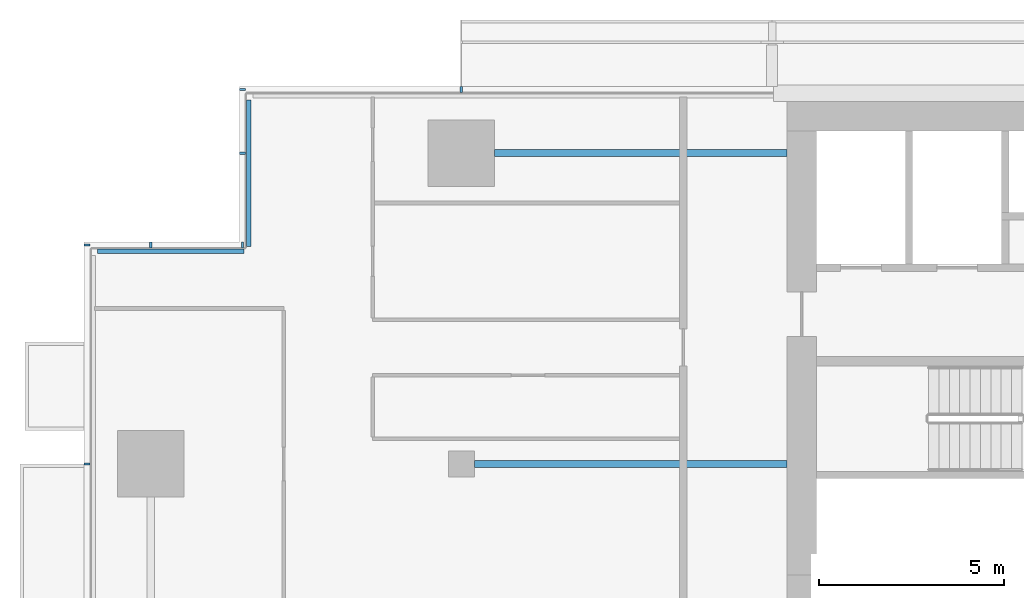
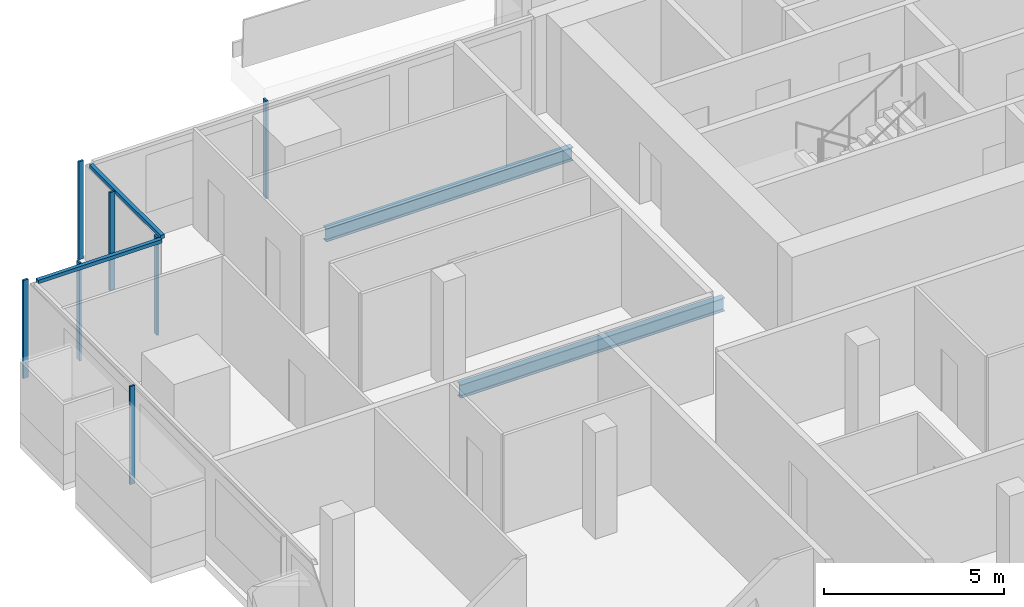
# One storey, part 8 of 28: 9 members, 2 beams, 4 elements without a shape of their own.
"""IFC4 building model written with IfcOpenShell, lengths in metres."""

import ifcopenshell
import ifcopenshell.guid

model = None  # the IFC model being written
_history = None  # IfcOwnerHistory: only IFC2X3 demands one
_inside = {}  # id of a spatial element -> (the spatial element, [elements in it])
_under = {}  # id of a project, library or spatial element -> (it, [spatial elements below it])
_declared = {}  # id of a project -> (the project, [libraries it declares])
_typed = {}  # id of a type object -> (the type object, [elements of that type])
_made_of = {}  # id of a material, layer set ... -> (it, [elements and type objects made of it])


def new_model(schema):
    """Start an empty IFC model of exactly this schema.

    Asked for "IFC4X3", IfcOpenShell would pick the latest addendum, in which some entities
    have other attributes; the version numbers below select the first issue.
    IFC2X3 requires an IfcOwnerHistory on every rooted entity: one is made here for all.
    """
    global model, _history
    if schema == "IFC4X3":
        model = ifcopenshell.file(schema_version=(4, 3, 0, 0))
    else:
        model = ifcopenshell.file(schema=schema)
    _inside.clear()
    _under.clear()
    _declared.clear()
    _typed.clear()
    _made_of.clear()
    _history = None
    if model.schema == "IFC2X3":
        org = make("IfcOrganization", Name="unknown")
        user = make(
            "IfcPersonAndOrganization",
            ThePerson=make("IfcPerson", FamilyName="unknown"),
            TheOrganization=org,
        )
        app = make(
            "IfcApplication",
            ApplicationDeveloper=org,
            Version="unknown",
            ApplicationFullName="unknown",
            ApplicationIdentifier="unknown",
        )
        _history = make(
            "IfcOwnerHistory",
            OwningUser=user,
            OwningApplication=app,
            ChangeAction="ADDED",
            CreationDate=0,
        )
    return model


def make(cls, **values):
    """One entity of the class cls with the attributes given. An attribute that is None is left unset."""
    return model.create_entity(
        cls, **{name: value for name, value in values.items() if value is not None}
    )


def rooted(cls, **values):
    """An entity with a GlobalId (a new one), such as an element, a storey or a relation."""
    return make(cls, GlobalId=ifcopenshell.guid.new(), OwnerHistory=_history, **values)


def si_unit(unit_type, name, prefix=None):
    """IfcSIUnit, for example si_unit("LENGTHUNIT", "METRE", prefix="MILLI")."""
    return make("IfcSIUnit", UnitType=unit_type, Prefix=prefix, Name=name)


def assignment(units):
    """IfcUnitAssignment: the units of a project."""
    return None if units is None else make("IfcUnitAssignment", Units=units)


def point(xyz):
    """IfcCartesianPoint."""
    return None if xyz is None else make("IfcCartesianPoint", Coordinates=xyz)


def direction(xyz):
    """IfcDirection."""
    return None if xyz is None else make("IfcDirection", DirectionRatios=xyz)


def frame(location, z_axis=None, x_axis=None):
    """IfcAxis2Placement3D, a coordinate frame: its origin and axes. An axis left out is left unset."""
    return make(
        "IfcAxis2Placement3D",
        Location=point(location),
        Axis=direction(z_axis),
        RefDirection=direction(x_axis),
    )


def frame_2d(location, x_axis=None):
    """IfcAxis2Placement2D, a coordinate frame in the plane: its origin and x axis."""
    return make(
        "IfcAxis2Placement2D", Location=point(location), RefDirection=direction(x_axis)
    )


def origin():
    """The frame at (0, 0, 0) with its axes left unset."""
    return frame((0.0, 0.0, 0.0))


def origin_2d():
    """The frame at (0, 0) in the plane with its x axis left unset."""
    return frame_2d((0.0, 0.0))


def place(relative_to, where):
    """IfcLocalPlacement: puts the frame where relative to a parent placement (None: the world)."""
    return make(
        "IfcLocalPlacement", PlacementRelTo=relative_to, RelativePlacement=where
    )


def context(
    kind, dimensions, precision=None, world=None, true_north=None, identifier=None
):
    """IfcGeometricRepresentationContext, for example the 3D "Model" context."""
    return make(
        "IfcGeometricRepresentationContext",
        ContextIdentifier=identifier,
        ContextType=kind,
        CoordinateSpaceDimension=dimensions,
        Precision=precision,
        WorldCoordinateSystem=world,
        TrueNorth=true_north,
    )


def subcontext(parent, identifier, kind, view, scale=None):
    """IfcGeometricRepresentationSubContext, for example "Body" below "Model"."""
    return make(
        "IfcGeometricRepresentationSubContext",
        ContextIdentifier=identifier,
        ContextType=kind,
        ParentContext=parent,
        TargetScale=scale,
        TargetView=view,
    )


def project(units=None, contexts=None):
    """IfcProject with its units and contexts."""
    return rooted(
        "IfcProject",
        Name="project",
        RepresentationContexts=contexts,
        UnitsInContext=assignment(units),
    )


def spatial(cls, under=None, at=None, **own):
    """A site, building, storey or space (cls), placed at a placement, below another one or the project."""
    s = rooted(cls, ObjectPlacement=at, **own)
    if under is not None:
        _under.setdefault(under.id(), (under, []))[1].append(s)
    return s


def profile(cls, at=None, kind="AREA", **sizes):
    """A parametric profile (cls). Its sizes go by their IFC names, for example OverallWidth=200.0."""
    return make(cls, ProfileType=kind, Position=at, **sizes)


def rectangle(**sizes):
    """IfcRectangleProfileDef."""
    return profile("IfcRectangleProfileDef", **sizes)


def i_section(**sizes):
    """IfcIShapeProfileDef."""
    return profile("IfcIShapeProfileDef", **sizes)


def extrude(swept, where, along, depth):
    """IfcExtrudedAreaSolid: the profile swept, set in the frame where, extruded along a direction by depth."""
    return make(
        "IfcExtrudedAreaSolid",
        SweptArea=swept,
        Position=where,
        ExtrudedDirection=direction(along),
        Depth=depth,
    )


def shape(context_of_items, identifier, shape_type, items):
    """IfcShapeRepresentation: the items that make up one representation, for example the "Body"."""
    return make(
        "IfcShapeRepresentation",
        ContextOfItems=context_of_items,
        RepresentationIdentifier=identifier,
        RepresentationType=shape_type,
        Items=items,
    )


def material(Name=None, Category=None):
    """IfcMaterial."""
    return make("IfcMaterial", Name=Name, Category=Category)


def material_profile(
    of_material, cross_section, Name=None, Category=None, Priority=None
):
    """IfcMaterialProfile: a cross section and its material."""
    return make(
        "IfcMaterialProfile",
        Name=Name,
        Material=of_material,
        Profile=cross_section,
        Priority=Priority,
        Category=Category,
    )


def profile_set(profiles, Name=None, composite=None):
    """IfcMaterialProfileSet."""
    return make(
        "IfcMaterialProfileSet",
        Name=Name,
        MaterialProfiles=profiles,
        CompositeProfile=composite,
    )


def made_of(thing, what):
    """Note that an element or type object is made of a material, layer set ...; save() writes the relation."""
    if what is not None:
        _made_of.setdefault(what.id(), (what, []))[1].append(thing)
    return thing


def type_object(cls, material=None, **own):
    """A type object (cls), such as IfcWallType, which elements share."""
    return made_of(rooted(cls, **own), material)


def element(
    cls,
    number,
    at=None,
    inside=None,
    cuts=None,
    type_object=None,
    material=None,
    context=None,
    identifier="Body",
    shape_type=None,
    held_by="IfcProductDefinitionShape",
    body=None,
    shapes=None,
    **own,
):
    """One element of the class cls, such as IfcWall. Its Tag is "e" and its number.

    at: its placement. inside: the storey or other place that contains it. cuts: it is an
    opening in that element (IfcRelVoidsElement). A single representation is given by context,
    identifier, shape_type and body (its items); several are given by shapes. held_by: the class
    of the entity that holds the representations. save() writes the other relations.
    """
    e = rooted(cls, Tag="e%d" % number, ObjectPlacement=at, **own)
    if body is not None:
        shapes = [shape(context, identifier, shape_type, body)]
    if shapes is not None:
        e.Representation = make(held_by, Representations=shapes)
    if inside is not None:
        _inside.setdefault(inside.id(), (inside, []))[1].append(e)
    if cuts is not None:
        rooted(
            "IfcRelVoidsElement", RelatingBuildingElement=cuts, RelatedOpeningElement=e
        )
    if type_object is not None:
        _typed.setdefault(type_object.id(), (type_object, []))[1].append(e)
    return made_of(e, material)


def aggregate(whole, parts):
    """IfcRelAggregates: a whole, such as a stair, and the parts it consists of."""
    return rooted("IfcRelAggregates", RelatingObject=whole, RelatedObjects=parts)


def save(model, path):
    """Write the relations noted so far, then the file.

    IfcRelAggregates (storeys below a building ...), IfcRelContainedInSpatialStructure (elements
    in a storey), IfcRelDefinesByType, IfcRelAssociatesMaterial and IfcRelDeclares: one each for
    every whole, place, type object, material and project.
    """
    for whole, parts in _under.values():
        aggregate(whole, parts)
    for where, things in _inside.values():
        rooted(
            "IfcRelContainedInSpatialStructure",
            RelatedElements=things,
            RelatingStructure=where,
        )
    for kind, things in _typed.values():
        rooted("IfcRelDefinesByType", RelatedObjects=things, RelatingType=kind)
    for what, things in _made_of.values():
        rooted("IfcRelAssociatesMaterial", RelatedObjects=things, RelatingMaterial=what)
    for by, libraries in _declared.values():
        rooted("IfcRelDeclares", RelatingContext=by, RelatedDefinitions=libraries)
    model.write(path)


model = new_model("IFC4")

# Units and contexts
model_context = context("Model", 3, precision=1e-05, world=origin(), true_north=direction((0.0, 1.0)))
body_context = subcontext(model_context, "Body", "Model", "MODEL_VIEW")
ifc_project = project(units=[si_unit("LENGTHUNIT", "METRE"), si_unit("AREAUNIT", "SQUARE_METRE"), si_unit("VOLUMEUNIT", "CUBIC_METRE"), si_unit("PLANEANGLEUNIT", "RADIAN"), si_unit("MASSUNIT", "GRAM", prefix="KILO")], contexts=[model_context])

# Site, building, storey
site_placement = place(None, origin())
site = spatial("IfcSite", under=ifc_project, at=site_placement, CompositionType="ELEMENT")
building_placement = place(site_placement, origin())
building = spatial("IfcBuilding", under=site, at=building_placement, Name="Saffron Gate Tower", CompositionType="ELEMENT")
storey_placement = place(building_placement, frame((0.0, 0.0, 154.64990234375)))
storey = spatial("IfcBuildingStorey", under=building, at=storey_placement, Name="L37", CompositionType="ELEMENT", Elevation=154.64990234375)

# Beams
ifc_material_1 = material(Name="Structural steel S355", Category="steel")
ifc_material_profile_1 = material_profile(ifc_material_1, i_section(OverallWidth=0.18994140625, OverallDepth=0.449951171875, WebThickness=0.009521484375, FlangeThickness=0.0146484375, FilletRadius=0.02099609375, at=origin_2d()))
ifc_profile_set_1 = profile_set([ifc_material_profile_1], Name="Structural steel S355")
beam_type = type_object("IfcBeamType", Name="B6 IPE 450", PredefinedType="BEAM", material=ifc_profile_set_1)
beam_1_placement = place(storey_placement, frame((58.550048828125, 65.39990234375, -0.5048828125), z_axis=(1.0, 0.0, 0.0), x_axis=(0.0, 1.0, 0.0)))
element("IfcBeam", 1, at=beam_1_placement, inside=storey, type_object=beam_type, Name="B6 CORE TIE BEAM", PredefinedType="BEAM", context=body_context, shape_type="SweptSolid", body=[
    extrude(i_section(OverallWidth=0.18994140625, OverallDepth=0.449951171875, WebThickness=0.009521484375, FlangeThickness=0.0146484375, FilletRadius=0.02099609375, at=origin_2d()), origin(), (0.0, 0.0, 1.0), 8.449951171875),
])
beam_2_placement = place(storey_placement, frame((59.10009765625, 73.800048828125, -0.5048828125), z_axis=(1.0, 0.0, 0.0), x_axis=(0.0, 1.0, 0.0)))
element("IfcBeam", 2, at=beam_2_placement, inside=storey, type_object=beam_type, Name="B6 CORE TIE BEAM", PredefinedType="BEAM", context=body_context, shape_type="SweptSolid", body=[
    extrude(i_section(OverallWidth=0.18994140625, OverallDepth=0.449951171875, WebThickness=0.009521484375, FlangeThickness=0.0146484375, FilletRadius=0.02099609375, at=origin_2d()), origin(), (0.0, 0.0, 1.0), 7.89990234375),
])

# Curtain wall, members
ifc_material_2 = material(Name="Aluminium, bronze anodised", Category="aluminium")
curtain_wall_type_1 = type_object("IfcCurtainWallType", Name="CWS2 curtain wall side facades", PredefinedType="NOTDEFINED", material=ifc_material_2)
curtain_wall_1_placement = place(storey_placement, origin())
curtain_wall_1 = element("IfcCurtainWall", 3, at=curtain_wall_1_placement, inside=storey, type_object=curtain_wall_type_1, Name="CWS2 run 10", PredefinedType="NOTDEFINED")
ifc_material_profile_2 = material_profile(ifc_material_2, rectangle(XDim=0.159912109375, YDim=0.06005859375, at=origin_2d()))
ifc_profile_set_2 = profile_set([ifc_material_profile_2], Name="Aluminium, bronze anodised")
member_type_1 = type_object("IfcMemberType", Name="CWS2 mullion 60x160", PredefinedType="MULLION", material=ifc_profile_set_2)
member_1_placement = place(storey_placement, frame((48.080078125, 71.320068359375, 0.0), z_axis=(0.0, 0.0, 1.0), x_axis=(1.0, 0.0, 0.0)))
member_1 = element("IfcMember", 4, at=member_1_placement, type_object=member_type_1, Name="CWS2 mullion 1", PredefinedType="MULLION", context=body_context, shape_type="SweptSolid", body=[
    extrude(rectangle(XDim=0.159912109375, YDim=0.06005859375, at=origin_2d()), origin(), (0.0, 0.0, 1.0), 3.320068359375),
])
member_2_placement = place(storey_placement, frame((48.080078125, 65.39990234375, 0.0), z_axis=(0.0, 0.0, 1.0), x_axis=(1.0, 0.0, 0.0)))
member_2 = element("IfcMember", 5, at=member_2_placement, type_object=member_type_1, Name="CWS2 mullion 2", PredefinedType="MULLION", context=body_context, shape_type="SweptSolid", body=[
    extrude(rectangle(XDim=0.159912109375, YDim=0.06005859375, at=origin_2d()), origin(), (0.0, 0.0, 1.0), 3.320068359375),
])
aggregate(curtain_wall_1, [member_1, member_2])

# Curtain wall, member
curtain_wall_type_2 = type_object("IfcCurtainWallType", Name="CWS3 curtain wall rear facade", PredefinedType="NOTDEFINED", material=ifc_material_2)
curtain_wall_2_placement = place(storey_placement, origin())
curtain_wall_2 = element("IfcCurtainWall", 6, at=curtain_wall_2_placement, inside=storey, type_object=curtain_wall_type_2, Name="CWS3 run 7", PredefinedType="NOTDEFINED")
ifc_material_profile_3 = material_profile(ifc_material_2, rectangle(XDim=0.159912109375, YDim=0.070068359375, at=origin_2d()))
ifc_profile_set_3 = profile_set([ifc_material_profile_3], Name="Aluminium, bronze anodised")
member_type_2 = type_object("IfcMemberType", Name="CWS3 mullion 70x160", PredefinedType="MULLION", material=ifc_profile_set_3)
member_3_placement = place(storey_placement, frame((58.199951171875, 75.52001953125, 0.0), z_axis=(0.0, 0.0, 1.0), x_axis=(0.0, -1.0, 0.0)))
member_3 = element("IfcMember", 7, at=member_3_placement, type_object=member_type_2, Name="CWS3 mullion 9", PredefinedType="MULLION", context=body_context, shape_type="SweptSolid", body=[
    extrude(rectangle(XDim=0.159912109375, YDim=0.070068359375, at=origin_2d()), origin(), (0.0, 0.0, 1.0), 3.320068359375),
])
aggregate(curtain_wall_2, [member_3])

curtain_wall_type_3 = type_object("IfcCurtainWallType", Name="CWS4 curtain wall corner returns", PredefinedType="NOTDEFINED", material=ifc_material_2)
curtain_wall_3_placement = place(storey_placement, origin())
curtain_wall_3 = element("IfcCurtainWall", 8, at=curtain_wall_3_placement, inside=storey, type_object=curtain_wall_type_3, Name="CWS4 run 8", PredefinedType="NOTDEFINED")
ifc_material_profile_4 = material_profile(ifc_material_2, rectangle(XDim=0.1201171875, YDim=0.1201171875, at=origin_2d()))
ifc_profile_set_4 = profile_set([ifc_material_profile_4], Name="Aluminium, bronze anodised")
member_type_3 = type_object("IfcMemberType", Name="CWS4 head transom", PredefinedType="USERDEFINED", material=ifc_profile_set_4)
member_4_placement = place(storey_placement, frame((52.447998046875, 75.23193359375, 3.260009765625), z_axis=(0.0, -1.0, 0.0), x_axis=(1.0, 0.0, 0.0)))
member_4 = element("IfcMember", 9, at=member_4_placement, type_object=member_type_3, Name="CWS4 head transom", ObjectType="TRANSOM", PredefinedType="USERDEFINED", context=body_context, shape_type="SweptSolid", body=[
    extrude(rectangle(XDim=0.1201171875, YDim=0.1201171875, at=origin_2d()), origin(), (0.0, 0.0, 1.0), 3.9599609375),
])

curtain_wall_4_placement = place(storey_placement, origin())
curtain_wall_4 = element("IfcCurtainWall", 10, at=curtain_wall_4_placement, inside=storey, type_object=curtain_wall_type_3, Name="CWS4 run 9", PredefinedType="NOTDEFINED")
member_5_placement = place(storey_placement, frame((52.327880859375, 71.152099609375, 3.260009765625), z_axis=(-1.0, 0.0, 0.0), x_axis=(0.0, -1.0, 0.0)))
member_5 = element("IfcMember", 11, at=member_5_placement, type_object=member_type_3, Name="CWS4 head transom", ObjectType="TRANSOM", PredefinedType="USERDEFINED", context=body_context, shape_type="SweptSolid", body=[
    extrude(rectangle(XDim=0.1201171875, YDim=0.1201171875, at=origin_2d()), origin(), (0.0, 0.0, 1.0), 3.9599609375),
])

# Member
ifc_material_profile_5 = material_profile(ifc_material_2, rectangle(XDim=0.159912109375, YDim=0.06005859375, at=origin_2d()))
ifc_profile_set_5 = profile_set([ifc_material_profile_5], Name="Aluminium, bronze anodised")
member_type_4 = type_object("IfcMemberType", Name="CWS4 mullion 60x160", PredefinedType="MULLION", material=ifc_profile_set_5)
member_6_placement = place(storey_placement, frame((52.280029296875, 75.52001953125, 0.0), z_axis=(0.0, 0.0, 1.0), x_axis=(1.0, 0.0, 0.0)))
member_6 = element("IfcMember", 12, at=member_6_placement, type_object=member_type_4, Name="CWS4 mullion 1", PredefinedType="MULLION", context=body_context, shape_type="SweptSolid", body=[
    extrude(rectangle(XDim=0.159912109375, YDim=0.06005859375, at=origin_2d()), origin(), (0.0, 0.0, 1.0), 3.320068359375),
])

member_7_placement = place(storey_placement, frame((52.280029296875, 73.800048828125, 0.0), z_axis=(0.0, 0.0, 1.0), x_axis=(1.0, 0.0, 0.0)))
member_7 = element("IfcMember", 13, at=member_7_placement, type_object=member_type_4, Name="CWS4 mullion 2", PredefinedType="MULLION", context=body_context, shape_type="SweptSolid", body=[
    extrude(rectangle(XDim=0.159912109375, YDim=0.06005859375, at=origin_2d()), origin(), (0.0, 0.0, 1.0), 3.320068359375),
])

aggregate(curtain_wall_3, [member_6, member_7, member_4])

member_8_placement = place(storey_placement, frame((52.280029296875, 71.320068359375, 0.0), z_axis=(0.0, 0.0, 1.0), x_axis=(0.0, -1.0, 0.0)))
member_8 = element("IfcMember", 14, at=member_8_placement, type_object=member_type_4, Name="CWS4 mullion 1", PredefinedType="MULLION", context=body_context, shape_type="SweptSolid", body=[
    extrude(rectangle(XDim=0.159912109375, YDim=0.06005859375, at=origin_2d()), origin(), (0.0, 0.0, 1.0), 3.320068359375),
])

member_9_placement = place(storey_placement, frame((49.800048828125, 71.320068359375, 0.0), z_axis=(0.0, 0.0, 1.0), x_axis=(0.0, -1.0, 0.0)))
member_9 = element("IfcMember", 15, at=member_9_placement, type_object=member_type_4, Name="CWS4 mullion 2", PredefinedType="MULLION", context=body_context, shape_type="SweptSolid", body=[
    extrude(rectangle(XDim=0.159912109375, YDim=0.06005859375, at=origin_2d()), origin(), (0.0, 0.0, 1.0), 3.320068359375),
])

aggregate(curtain_wall_4, [member_8, member_9, member_5])

save(model, "model.ifc")
